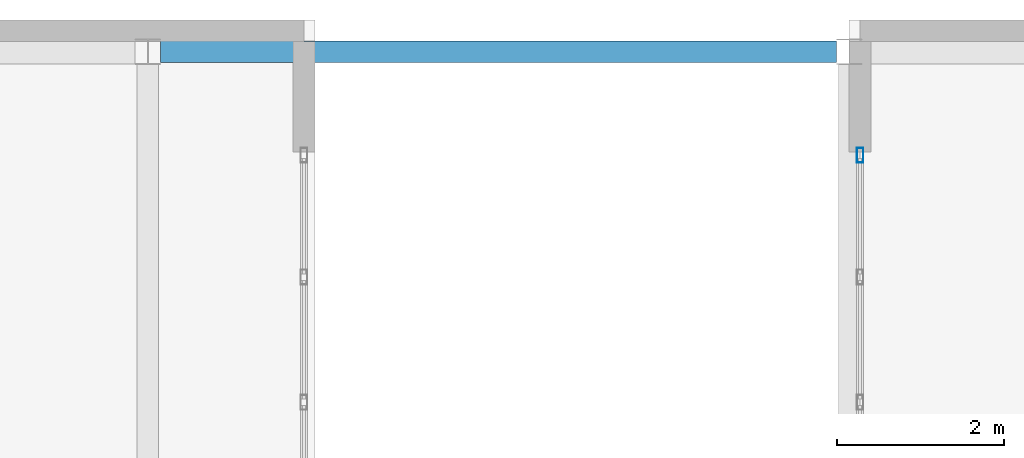
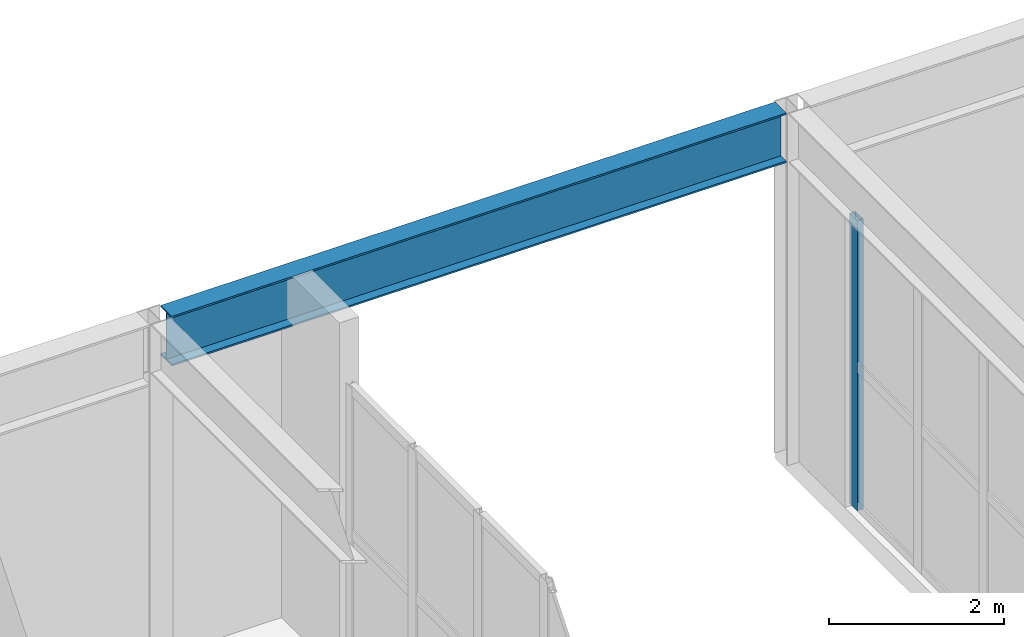
# One storey, part 6 of 9: 1 beam, 1 member, 1 element without a shape of its own.
"""IFC4 building model written with IfcOpenShell, lengths in metres."""

from ifc_helpers import new_model, si_unit, direction, frame, origin, origin_2d, place, context, subcontext, project, spatial, hollow_rectangle, i_section, extrude, material, layer, layer_set, material_profile, profile_set, type_object, element, aggregate, save


model = new_model("IFC4")

# Units and contexts
model_context = context("Model", 3, precision=1e-05, world=origin(), true_north=direction((0.0, 1.0)))
body_context = subcontext(model_context, "Body", "Model", "MODEL_VIEW")
ifc_project = project(units=[si_unit("LENGTHUNIT", "METRE"), si_unit("AREAUNIT", "SQUARE_METRE"), si_unit("VOLUMEUNIT", "CUBIC_METRE"), si_unit("PLANEANGLEUNIT", "RADIAN"), si_unit("MASSUNIT", "GRAM", prefix="KILO")], contexts=[model_context])

# Site, building, storey
site_placement = place(None, origin())
site = spatial("IfcSite", under=ifc_project, at=site_placement, CompositionType="ELEMENT")
building_placement = place(site_placement, origin())
building = spatial("IfcBuilding", under=site, at=building_placement, Name="Solanera Arch Residences", CompositionType="ELEMENT")
storey_placement = place(building_placement, frame((0.0, 0.0, 297.679931640625)))
storey = spatial("IfcBuildingStorey", under=building, at=storey_placement, Name="L84", CompositionType="ELEMENT", Elevation=297.679931640625)

# Curtain wall, member
ifc_material_1 = material(Name="Anodised Aluminium Alloy 6063-T6", Category="aluminium")
ifc_layer = layer(ifc_material_1, 0.179931640625)
ifc_layer_set = layer_set([ifc_layer], Name="Anodised Aluminium Alloy 6063-T6")
curtain_wall_type = type_object("IfcCurtainWallType", Name="CW-6 Split-Top Crown Lantern Curtain Wall", PredefinedType="USERDEFINED", material=ifc_layer_set)
curtain_wall_placement = place(storey_placement, origin())
curtain_wall = element("IfcCurtainWall", 1, at=curtain_wall_placement, inside=storey, type_object=curtain_wall_type, Name="L84 E Crown Cleft Lantern Curtain Wall", ObjectType="CURTAIN_WALL", PredefinedType="USERDEFINED")
ifc_material_2 = material(Name="Anodised Aluminium Alloy 6063-T6", Category="aluminium")
ifc_material_profile_1 = material_profile(ifc_material_2, hollow_rectangle(XDim=0.080078125, YDim=0.179931640625, WallThickness=0.00390625, at=origin_2d()))
ifc_profile_set_1 = profile_set([ifc_material_profile_1], Name="Anodised Aluminium Alloy 6063-T6")
member_type = type_object("IfcMemberType", Name="Curtain Wall Mullion ALU-MUL-80X180", PredefinedType="MULLION", material=ifc_profile_set_1)
member_placement = place(storey_placement, frame((29.330078125, 38.159912109375, 0.0), z_axis=(0.0, 0.0, 1.0), x_axis=(-1.0, 0.0, 0.0)))
member = element("IfcMember", 2, at=member_placement, type_object=member_type, Name="CW-6 mullion 5", PredefinedType="MULLION", context=body_context, shape_type="SweptSolid", body=[
    extrude(hollow_rectangle(XDim=0.080078125, YDim=0.179931640625, WallThickness=0.00390625, at=origin_2d()), origin(), (0.0, 0.0, 1.0), 4.0400390625),
])
aggregate(curtain_wall, [member])

# Beam
ifc_material_3 = material(Name="Steel S355 (ASTM A992 / A572 Grade 50)", Category="steel")
ifc_material_profile_2 = material_profile(ifc_material_3, i_section(OverallWidth=0.256103515625, OverallDepth=0.693115234375, WebThickness=0.014404296875, FlangeThickness=0.023681640625, at=origin_2d()))
ifc_profile_set_2 = profile_set([ifc_material_profile_2], Name="Steel S355 (ASTM A992 / A572 Grade 50)")
beam_type = type_object("IfcBeamType", Name="Primary Beam W690X170", PredefinedType="BEAM", material=ifc_profile_set_2)
beam_placement = place(storey_placement, frame((20.951904296875, 39.39990234375, 4.552978515625), z_axis=(1.0, 0.0, 0.0), x_axis=(0.0, 1.0, 0.0)))
element("IfcBeam", 3, at=beam_placement, inside=storey, type_object=beam_type, Name="BM-L84-CR-TIE-N", PredefinedType="BEAM", context=body_context, shape_type="SweptSolid", body=[
    extrude(i_section(OverallWidth=0.256103515625, OverallDepth=0.693115234375, WebThickness=0.014404296875, FlangeThickness=0.023681640625, at=origin_2d()), origin(), (0.0, 0.0, 1.0), 8.09619140625),
])

save(model, "model.ifc")
